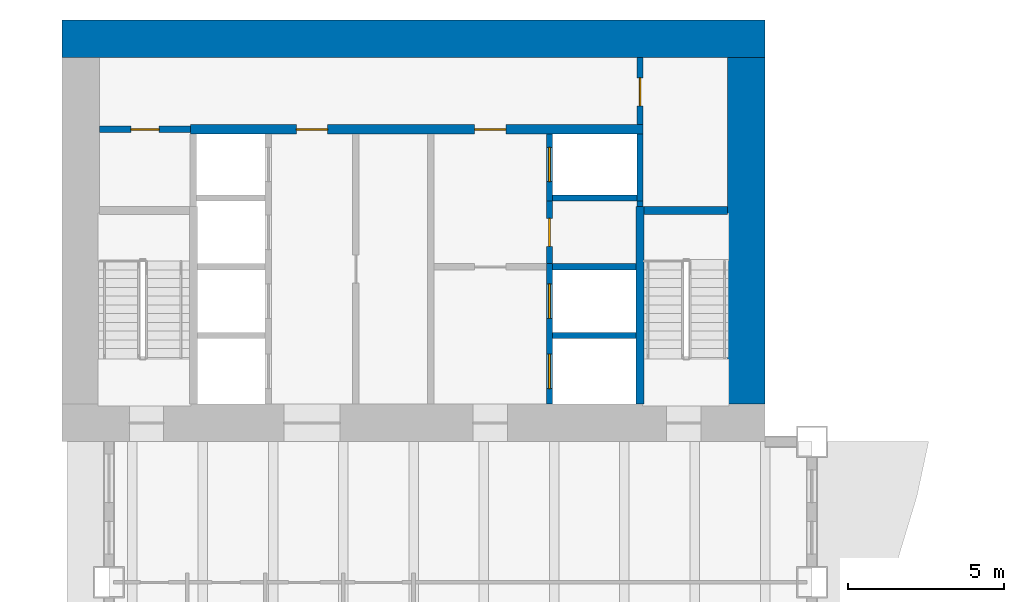
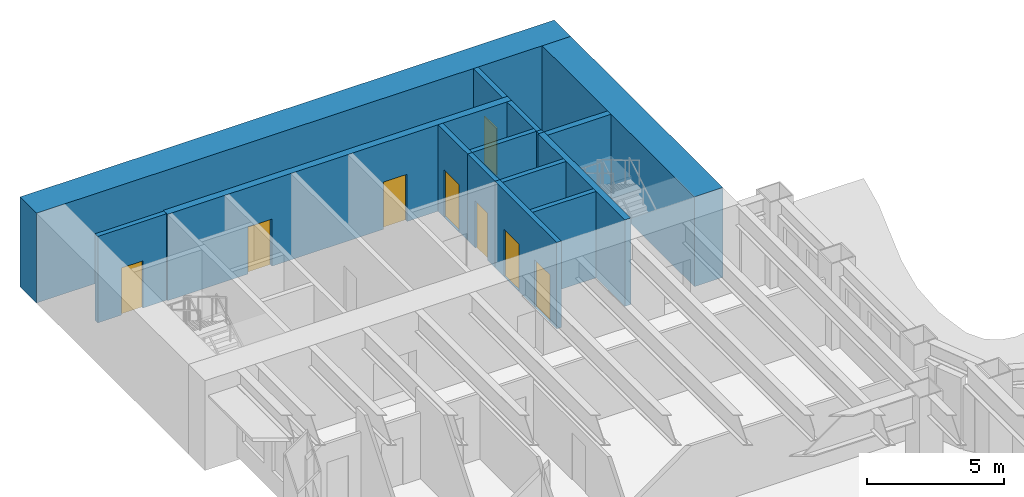
# One storey, part 9 of 16: 15 walls, 8 doors, 8 openings.
"""IFC4 building model written with IfcOpenShell, lengths in metres."""

from ifc_helpers import new_model, si_unit, direction, frame, frame_2d, origin, place, context, subcontext, project, spatial, rectangle, extrude, material, layer, layer_set, type_object, element, fill, save


model = new_model("IFC4")

# Units and contexts
model_context = context("Model", 3, precision=1e-05, world=origin(), true_north=direction((0.0, 1.0)))
body_context = subcontext(model_context, "Body", "Model", "MODEL_VIEW")
ifc_project = project(units=[si_unit("LENGTHUNIT", "METRE"), si_unit("AREAUNIT", "SQUARE_METRE"), si_unit("VOLUMEUNIT", "CUBIC_METRE"), si_unit("PLANEANGLEUNIT", "RADIAN"), si_unit("MASSUNIT", "GRAM", prefix="KILO")], contexts=[model_context])

# Site, building, storey
site_placement = place(None, origin())
site = spatial("IfcSite", under=ifc_project, at=site_placement, CompositionType="ELEMENT")
building_placement = place(site_placement, origin())
building = spatial("IfcBuilding", under=site, at=building_placement, Name="Sennacour Bend Tower", CompositionType="ELEMENT")
storey_placement = place(building_placement, frame((0.0, 0.0, 111.0)))
storey = spatial("IfcBuildingStorey", under=building, at=storey_placement, Name="L25", CompositionType="ELEMENT", Elevation=111.0)

# Walls
ifc_material_1 = material(Name="Concrete C80/95", Category="concrete")
ifc_layer_1 = layer(ifc_material_1, 1.199951171875, Name="Concrete C80/95", Category="concrete")
ifc_layer_set_1 = layer_set([ifc_layer_1], Name="Concrete C80/95")
wall_type_1 = type_object("IfcWallType", Name="Core wall 1200 C80/95", PredefinedType="SHEAR", material=ifc_layer_set_1)
wall_1_placement = place(storey_placement, frame((0.0, 48.89990234375, -0.14990234375), z_axis=(0.0, 0.0, 1.0), x_axis=(1.0, 0.0, 0.0)))
element("IfcWall", 1, at=wall_1_placement, inside=storey, type_object=wall_type_1, Name="Core B wall L25 N", PredefinedType="SHEAR", context=body_context, shape_type="SweptSolid", body=[
    extrude(rectangle(XDim=22.5, YDim=1.199951171875, at=frame_2d((11.25, 0.0))), origin(), (0.0, 0.0, 1.0), 4.0),
])
wall_2_placement = place(storey_placement, frame((21.89990234375, 37.199951171875, -0.14990234375), z_axis=(0.0, 0.0, 1.0), x_axis=(0.0, 1.0, 0.0)))
element("IfcWall", 2, at=wall_2_placement, inside=storey, type_object=wall_type_1, Name="Core B wall L25 E", PredefinedType="SHEAR", context=body_context, shape_type="SweptSolid", body=[
    extrude(rectangle(XDim=11.10009765625, YDim=1.199951171875, at=frame_2d((5.550048828125, 0.0))), origin(), (0.0, 0.0, 1.0), 4.0),
])

# Wall, opening, door
ifc_material_2 = material(Name="Fire-rated plasterboard partition on steel studs", Category="steel")
ifc_layer_2 = layer(ifc_material_2, 0.199951171875, Name="Fire-rated plasterboard partition on steel studs", Category="steel")
ifc_layer_set_2 = layer_set([ifc_layer_2], Name="Fire-rated plasterboard partition on steel studs")
wall_type_2 = type_object("IfcWallType", Name="Rated partition 200", PredefinedType="PARTITIONING", material=ifc_layer_set_2)
wall_3_placement = place(storey_placement, frame((15.60009765625, 41.699951171875, 0.0), z_axis=(0.0, 0.0, 1.0), x_axis=(0.0, 1.0, 0.0)))
wall_3 = element("IfcWall", 3, at=wall_3_placement, inside=storey, type_object=wall_type_2, Name="P-L25-W016", PredefinedType="PARTITIONING", context=body_context, shape_type="SweptSolid", body=[
    extrude(rectangle(XDim=2.0, YDim=0.199951171875, at=frame_2d((1.0, 0.0))), origin(), (0.0, 0.0, 1.0), 3.85009765625),
])
opening_1_placement = place(wall_3_placement, frame((0.550048828125, 0.0, 0.0)))
opening_1 = element("IfcOpeningElement", 4, at=opening_1_placement, cuts=wall_3, Name="Opening SV", PredefinedType="OPENING", context=body_context, shape_type="SweptSolid", body=[
    extrude(rectangle(XDim=0.89990234375, YDim=2.10009765625, at=frame_2d((0.449951171875, 1.050048828125))), frame((0.0, 0.10986328125, 0.0), z_axis=(0.0, -1.0, 0.0), x_axis=(1.0, 0.0, 0.0)), (0.0, 0.0, 1.0), 0.219970703125),
])
ifc_material_3 = material(Name="Painted steel", Category="steel")
door_type_1 = type_object("IfcDoorType", Name="DR-SERVICE-900", OperationType="NOTDEFINED", PredefinedType="DOOR", material=ifc_material_3)
door_1_placement = place(opening_1_placement, origin())
door_1 = element("IfcDoor", 5, at=door_1_placement, inside=storey, type_object=door_type_1, Name="Door", OperationType="SINGLE_SWING_RIGHT", OverallHeight=2.10009765625, OverallWidth=0.89990234375, PredefinedType="DOOR", context=body_context, shape_type="SweptSolid", body=[
    extrude(rectangle(XDim=0.89990234375, YDim=2.10009765625, at=frame_2d((0.449951171875, 1.050048828125))), frame((0.0, 0.02490234375, 0.0), z_axis=(0.0, -1.0, 0.0), x_axis=(1.0, 0.0, 0.0)), (0.0, 0.0, 1.0), 0.050048828125),
])
fill(opening_1, door_1)

# Wall
wall_4_placement = place(storey_placement, frame((18.5, 43.52490234375, 0.0), z_axis=(0.0, 0.0, 1.0), x_axis=(0.0, 1.0, 0.0)))
element("IfcWall", 6, at=wall_4_placement, inside=storey, type_object=wall_type_2, Name="P-L25-W020", PredefinedType="PARTITIONING", context=body_context, shape_type="SweptSolid", body=[
    extrude(rectangle(XDim=0.175048828125, YDim=0.199951171875, at=frame_2d((0.08740234375, 0.0))), origin(), (0.0, 0.0, 1.0), 3.85009765625),
])

# Wall, opening, door
wall_5_placement = place(storey_placement, frame((18.5, 46.14990234375, 0.0), z_axis=(0.0, 0.0, 1.0), x_axis=(0.0, 1.0, 0.0)))
wall_5 = element("IfcWall", 7, at=wall_5_placement, inside=storey, type_object=wall_type_2, Name="P-L25-W022", PredefinedType="PARTITIONING", context=body_context, shape_type="SweptSolid", body=[
    extrude(rectangle(XDim=2.150146484375, YDim=0.199951171875, at=frame_2d((1.0751953125, 0.0))), origin(), (0.0, 0.0, 1.0), 3.85009765625),
])
opening_2_placement = place(wall_5_placement, frame((0.60009765625, 0.0, 0.0)))
opening_2 = element("IfcOpeningElement", 8, at=opening_2_placement, cuts=wall_5, Name="Opening SV", PredefinedType="OPENING", context=body_context, shape_type="SweptSolid", body=[
    extrude(rectangle(XDim=0.89990234375, YDim=2.10009765625, at=frame_2d((0.449951171875, 1.050048828125))), frame((0.0, 0.10986328125, 0.0), z_axis=(0.0, -1.0, 0.0), x_axis=(1.0, 0.0, 0.0)), (0.0, 0.0, 1.0), 0.219970703125),
])
door_2_placement = place(opening_2_placement, origin())
door_2 = element("IfcDoor", 9, at=door_2_placement, inside=storey, type_object=door_type_1, Name="Door", OperationType="SINGLE_SWING_LEFT", OverallHeight=2.10009765625, OverallWidth=0.89990234375, PredefinedType="DOOR", context=body_context, shape_type="SweptSolid", body=[
    extrude(rectangle(XDim=0.89990234375, YDim=2.10009765625, at=frame_2d((0.449951171875, 1.050048828125))), frame((0.0, 0.02490234375, 0.0), z_axis=(0.0, -1.0, 0.0), x_axis=(1.0, 0.0, 0.0)), (0.0, 0.0, 1.0), 0.050048828125),
])
fill(opening_2, door_2)

wall_6_placement = place(storey_placement, frame((1.199951171875, 46.0, 0.0), z_axis=(0.0, 0.0, 1.0), x_axis=(1.0, 0.0, 0.0)))
wall_6 = element("IfcWall", 10, at=wall_6_placement, inside=storey, type_object=wall_type_2, Name="P-L25-W084", PredefinedType="PARTITIONING", context=body_context, shape_type="SweptSolid", body=[
    extrude(rectangle(XDim=2.900146484375, YDim=0.199951171875, at=frame_2d((1.4501953125, 0.0))), origin(), (0.0, 0.0, 1.0), 3.85009765625),
])
opening_3_placement = place(wall_6_placement, frame((1.0, 0.0, 0.0)))
opening_3 = element("IfcOpeningElement", 11, at=opening_3_placement, cuts=wall_6, Name="Opening SV", PredefinedType="OPENING", context=body_context, shape_type="SweptSolid", body=[
    extrude(rectangle(XDim=0.89990234375, YDim=2.10009765625, at=frame_2d((0.449951171875, 1.050048828125))), frame((0.0, 0.10986328125, 0.0), z_axis=(0.0, -1.0, 0.0), x_axis=(1.0, 0.0, 0.0)), (0.0, 0.0, 1.0), 0.219970703125),
])
door_3_placement = place(opening_3_placement, origin())
door_3 = element("IfcDoor", 12, at=door_3_placement, inside=storey, type_object=door_type_1, Name="Door", OperationType="SINGLE_SWING_LEFT", OverallHeight=2.10009765625, OverallWidth=0.89990234375, PredefinedType="DOOR", context=body_context, shape_type="SweptSolid", body=[
    extrude(rectangle(XDim=0.89990234375, YDim=2.10009765625, at=frame_2d((0.449951171875, 1.050048828125))), frame((0.0, 0.02490234375, 0.0), z_axis=(0.0, -1.0, 0.0), x_axis=(1.0, 0.0, 0.0)), (0.0, 0.0, 1.0), 0.050048828125),
])
fill(opening_3, door_3)

# Wall, openings, doors
ifc_material_4 = material(Name="Concrete C50/60", Category="concrete")
ifc_layer_3 = layer(ifc_material_4, 0.199951171875, Name="Concrete C50/60", Category="concrete")
ifc_layer_set_3 = layer_set([ifc_layer_3], Name="Concrete C50/60")
wall_type_3 = type_object("IfcWallType", Name="Shaft wall 200", PredefinedType="SOLIDWALL", material=ifc_layer_set_3)
wall_7_placement = place(storey_placement, frame((15.60009765625, 37.199951171875, 0.0), z_axis=(0.0, 0.0, 1.0), x_axis=(0.0, 1.0, 0.0)))
wall_7 = element("IfcWall", 13, at=wall_7_placement, inside=storey, type_object=wall_type_3, Name="P-L25-W015", PredefinedType="SOLIDWALL", context=body_context, shape_type="SweptSolid", body=[
    extrude(rectangle(XDim=4.5, YDim=0.199951171875, at=frame_2d((2.25, 0.0))), origin(), (0.0, 0.0, 1.0), 3.85009765625),
])
opening_4_placement = place(wall_7_placement, frame((0.5, 0.0, 0.011962890625)))
opening_4 = element("IfcOpeningElement", 14, at=opening_4_placement, cuts=wall_7, Name="Opening FLD", PredefinedType="OPENING", context=body_context, shape_type="SweptSolid", body=[
    extrude(rectangle(XDim=1.10009765625, YDim=2.10009765625, at=frame_2d((0.550048828125, 1.050048828125))), frame((0.0, 0.10986328125, 0.0), z_axis=(0.0, -1.0, 0.0), x_axis=(1.0, 0.0, 0.0)), (0.0, 0.0, 1.0), 0.219970703125),
])
opening_5_placement = place(wall_7_placement, frame((2.75, 0.0, 0.011962890625)))
opening_5 = element("IfcOpeningElement", 15, at=opening_5_placement, cuts=wall_7, Name="Opening FLD", PredefinedType="OPENING", context=body_context, shape_type="SweptSolid", body=[
    extrude(rectangle(XDim=1.10009765625, YDim=2.10009765625, at=frame_2d((0.550048828125, 1.050048828125))), frame((0.0, 0.10986328125, 0.0), z_axis=(0.0, -1.0, 0.0), x_axis=(1.0, 0.0, 0.0)), (0.0, 0.0, 1.0), 0.219970703125),
])
ifc_material_5 = material(Name="Stainless steel", Category="steel")
door_type_2 = type_object("IfcDoorType", Name="DR-FF-LANDING-1100", OperationType="NOTDEFINED", PredefinedType="DOOR", material=ifc_material_5)
door_4_placement = place(opening_4_placement, origin())
door_4 = element("IfcDoor", 16, at=door_4_placement, inside=storey, type_object=door_type_2, Name="Fire service lift landing door FB1", OperationType="SLIDING_TO_LEFT", OverallHeight=2.10009765625, OverallWidth=1.10009765625, PredefinedType="DOOR", context=body_context, shape_type="SweptSolid", body=[
    extrude(rectangle(XDim=1.10009765625, YDim=2.10009765625, at=frame_2d((0.550048828125, 1.050048828125))), frame((0.0, 0.02490234375, 0.0), z_axis=(0.0, -1.0, 0.0), x_axis=(1.0, 0.0, 0.0)), (0.0, 0.0, 1.0), 0.050048828125),
])
fill(opening_4, door_4)
door_5_placement = place(opening_5_placement, origin())
door_5 = element("IfcDoor", 17, at=door_5_placement, inside=storey, type_object=door_type_2, Name="Fire service lift landing door FB2", OperationType="SLIDING_TO_RIGHT", OverallHeight=2.10009765625, OverallWidth=1.10009765625, PredefinedType="DOOR", context=body_context, shape_type="SweptSolid", body=[
    extrude(rectangle(XDim=1.10009765625, YDim=2.10009765625, at=frame_2d((0.550048828125, 1.050048828125))), frame((0.0, 0.02490234375, 0.0), z_axis=(0.0, -1.0, 0.0), x_axis=(1.0, 0.0, 0.0)), (0.0, 0.0, 1.0), 0.050048828125),
])
fill(opening_5, door_5)

# Wall, opening, door
wall_8_placement = place(storey_placement, frame((15.60009765625, 43.699951171875, 0.0), z_axis=(0.0, 0.0, 1.0), x_axis=(0.0, 1.0, 0.0)))
wall_8 = element("IfcWall", 18, at=wall_8_placement, inside=storey, type_object=wall_type_3, Name="P-L25-W017", PredefinedType="SOLIDWALL", context=body_context, shape_type="SweptSolid", body=[
    extrude(rectangle(XDim=2.150146484375, YDim=0.199951171875, at=frame_2d((1.0751953125, 0.0))), origin(), (0.0, 0.0, 1.0), 3.85009765625),
])
opening_6_placement = place(wall_8_placement, frame((0.625, 0.0, 0.011962890625)))
opening_6 = element("IfcOpeningElement", 19, at=opening_6_placement, cuts=wall_8, Name="Opening LD", PredefinedType="OPENING", context=body_context, shape_type="SweptSolid", body=[
    extrude(rectangle(XDim=1.10009765625, YDim=2.10009765625, at=frame_2d((0.550048828125, 1.050048828125))), frame((0.0, 0.10986328125, 0.0), z_axis=(0.0, -1.0, 0.0), x_axis=(1.0, 0.0, 0.0)), (0.0, 0.0, 1.0), 0.219970703125),
])
door_type_3 = type_object("IfcDoorType", Name="DR-LANDING-1100", OperationType="NOTDEFINED", PredefinedType="DOOR", material=ifc_material_5)
door_6_placement = place(opening_6_placement, origin())
door_6 = element("IfcDoor", 20, at=door_6_placement, inside=storey, type_object=door_type_3, Name="Lift landing door LB5", OperationType="SLIDING_TO_LEFT", OverallHeight=2.10009765625, OverallWidth=1.10009765625, PredefinedType="DOOR", context=body_context, shape_type="SweptSolid", body=[
    extrude(rectangle(XDim=1.10009765625, YDim=2.10009765625, at=frame_2d((0.550048828125, 1.050048828125))), frame((0.0, 0.02490234375, 0.0), z_axis=(0.0, -1.0, 0.0), x_axis=(1.0, 0.0, 0.0)), (0.0, 0.0, 1.0), 0.050048828125),
])
fill(opening_6, door_6)

# Walls
wall_9_placement = place(storey_placement, frame((18.5, 43.699951171875, 0.0), z_axis=(0.0, 0.0, 1.0), x_axis=(0.0, 1.0, 0.0)))
element("IfcWall", 21, at=wall_9_placement, inside=storey, type_object=wall_type_3, Name="P-L25-W021", PredefinedType="SOLIDWALL", context=body_context, shape_type="SweptSolid", body=[
    extrude(rectangle(XDim=2.150146484375, YDim=0.199951171875, at=frame_2d((1.0751953125, 0.0))), origin(), (0.0, 0.0, 1.0), 3.85009765625),
])
for number, where, z_axis, x_axis, name in (
    (22, (15.699951171875, 39.39990234375, 0.0), (0.0, 0.0, 1.0), (1.0, 0.0, 0.0), "P-L25-W076"),
    (23, (15.699951171875, 41.60009765625, 0.0), (0.0, 0.0, 1.0), (1.0, 0.0, 0.0), "P-L25-W079"),
):
    element("IfcWall", number, at=place(storey_placement, frame(where, z_axis=z_axis, x_axis=x_axis)), inside=storey, type_object=wall_type_3, Name=name, PredefinedType="SOLIDWALL", context=body_context, shape_type="SweptSolid", body=[
        extrude(rectangle(XDim=2.675048828125, YDim=0.199951171875, at=frame_2d((1.33740234375, 0.0))), origin(), (0.0, 0.0, 1.0), 3.85009765625),
    ])
wall_10_placement = place(storey_placement, frame((15.699951171875, 43.800048828125, 0.0), z_axis=(0.0, 0.0, 1.0), x_axis=(1.0, 0.0, 0.0)))
element("IfcWall", 24, at=wall_10_placement, inside=storey, type_object=wall_type_3, Name="P-L25-W083", PredefinedType="SOLIDWALL", context=body_context, shape_type="SweptSolid", body=[
    extrude(rectangle(XDim=2.699951171875, YDim=0.199951171875, at=frame_2d((1.35009765625, 0.0))), origin(), (0.0, 0.0, 1.0), 3.85009765625),
])

# Wall, openings, doors
ifc_material_6 = material(Name="Concrete C60/75", Category="concrete")
ifc_layer_4 = layer(ifc_material_6, 0.300048828125, Name="Concrete C60/75", Category="concrete")
ifc_layer_set_4 = layer_set([ifc_layer_4], Name="Concrete C60/75")
wall_type_4 = type_object("IfcWallType", Name="Spine wall 300", PredefinedType="SHEAR", material=ifc_layer_set_4)
wall_11_placement = place(storey_placement, frame((4.10009765625, 46.0, 0.0), z_axis=(0.0, 0.0, 1.0), x_axis=(1.0, 0.0, 0.0)))
wall_11 = element("IfcWall", 25, at=wall_11_placement, inside=storey, type_object=wall_type_4, Name="P-L25-W085", PredefinedType="SHEAR", context=body_context, shape_type="SweptSolid", body=[
    extrude(rectangle(XDim=14.5, YDim=0.300048828125, at=frame_2d((7.25, 0.0))), origin(), (0.0, 0.0, 1.0), 3.85009765625),
])
opening_7_placement = place(wall_11_placement, frame((3.39990234375, 0.0, 0.0)))
opening_7 = element("IfcOpeningElement", 26, at=opening_7_placement, cuts=wall_11, Name="Opening CD2", PredefinedType="OPENING", context=body_context, shape_type="SweptSolid", body=[
    extrude(rectangle(XDim=1.0, YDim=2.10009765625, at=frame_2d((0.5, 1.050048828125))), frame((0.0, 0.16015625, 0.0), z_axis=(0.0, -1.0, 0.0), x_axis=(1.0, 0.0, 0.0)), (0.0, 0.0, 1.0), 0.320068359375),
])
opening_8_placement = place(wall_11_placement, frame((9.099853515625, 0.0, 0.0)))
opening_8 = element("IfcOpeningElement", 27, at=opening_8_placement, cuts=wall_11, Name="Opening CD2", PredefinedType="OPENING", context=body_context, shape_type="SweptSolid", body=[
    extrude(rectangle(XDim=1.0, YDim=2.10009765625, at=frame_2d((0.5, 1.050048828125))), frame((0.0, 0.16015625, 0.0), z_axis=(0.0, -1.0, 0.0), x_axis=(1.0, 0.0, 0.0)), (0.0, 0.0, 1.0), 0.320068359375),
])
door_type_4 = type_object("IfcDoorType", Name="DR-LOBBY-1000", OperationType="NOTDEFINED", PredefinedType="DOOR", material=ifc_material_3)
door_7_placement = place(opening_7_placement, origin())
door_7 = element("IfcDoor", 28, at=door_7_placement, inside=storey, type_object=door_type_4, Name="Door", OperationType="SINGLE_SWING_LEFT", OverallHeight=2.10009765625, OverallWidth=1.0, PredefinedType="DOOR", context=body_context, shape_type="SweptSolid", body=[
    extrude(rectangle(XDim=1.0, YDim=2.10009765625, at=frame_2d((0.5, 1.050048828125))), frame((0.0, 0.02490234375, 0.0), z_axis=(0.0, -1.0, 0.0), x_axis=(1.0, 0.0, 0.0)), (0.0, 0.0, 1.0), 0.050048828125),
])
fill(opening_7, door_7)
door_8_placement = place(opening_8_placement, origin())
door_8 = element("IfcDoor", 29, at=door_8_placement, inside=storey, type_object=door_type_4, Name="Door", OperationType="SINGLE_SWING_RIGHT", OverallHeight=2.10009765625, OverallWidth=1.0, PredefinedType="DOOR", context=body_context, shape_type="SweptSolid", body=[
    extrude(rectangle(XDim=1.0, YDim=2.10009765625, at=frame_2d((0.5, 1.050048828125))), frame((0.0, 0.02490234375, 0.0), z_axis=(0.0, -1.0, 0.0), x_axis=(1.0, 0.0, 0.0)), (0.0, 0.0, 1.0), 0.050048828125),
])
fill(opening_8, door_8)

# Walls
ifc_layer_5 = layer(ifc_material_6, 0.25, Name="Concrete C60/75", Category="concrete")
ifc_layer_set_5 = layer_set([ifc_layer_5], Name="Concrete C60/75")
wall_type_5 = type_object("IfcWallType", Name="Stair wall 250", PredefinedType="SHEAR", material=ifc_layer_set_5)
wall_12_placement = place(storey_placement, frame((18.5, 37.199951171875, 0.0), z_axis=(0.0, 0.0, 1.0), x_axis=(0.0, 1.0, 0.0)))
element("IfcWall", 30, at=wall_12_placement, inside=storey, type_object=wall_type_5, Name="P-L25-W019", PredefinedType="SHEAR", context=body_context, shape_type="SweptSolid", body=[
    extrude(rectangle(XDim=6.324951171875, YDim=0.25, at=frame_2d((3.16259765625, 0.0))), origin(), (0.0, 0.0, 1.0), 3.85009765625),
])
wall_13_placement = place(storey_placement, frame((18.625, 43.39990234375, 0.0), z_axis=(0.0, 0.0, 1.0), x_axis=(1.0, 0.0, 0.0)))
element("IfcWall", 31, at=wall_13_placement, inside=storey, type_object=wall_type_5, Name="P-L25-W081", PredefinedType="SHEAR", context=body_context, shape_type="SweptSolid", body=[
    extrude(rectangle(XDim=2.675048828125, YDim=0.25, at=frame_2d((1.33740234375, 0.0))), origin(), (0.0, 0.0, 1.0), 3.85009765625),
])

save(model, "model.ifc")
